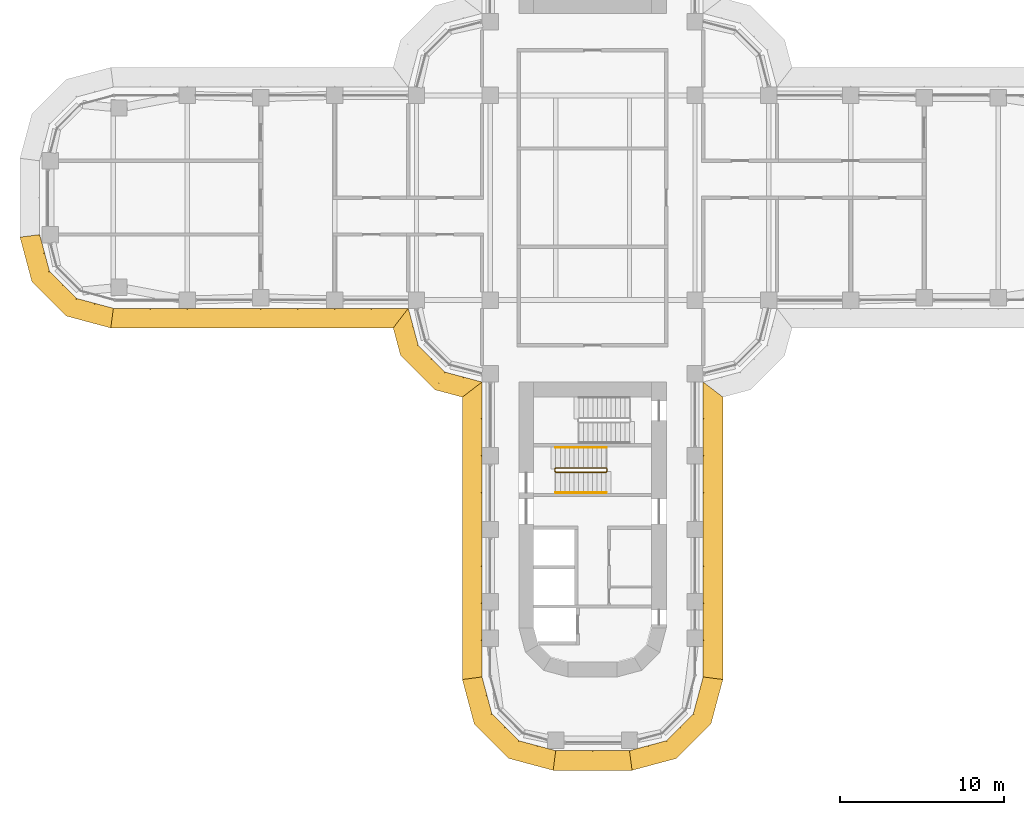
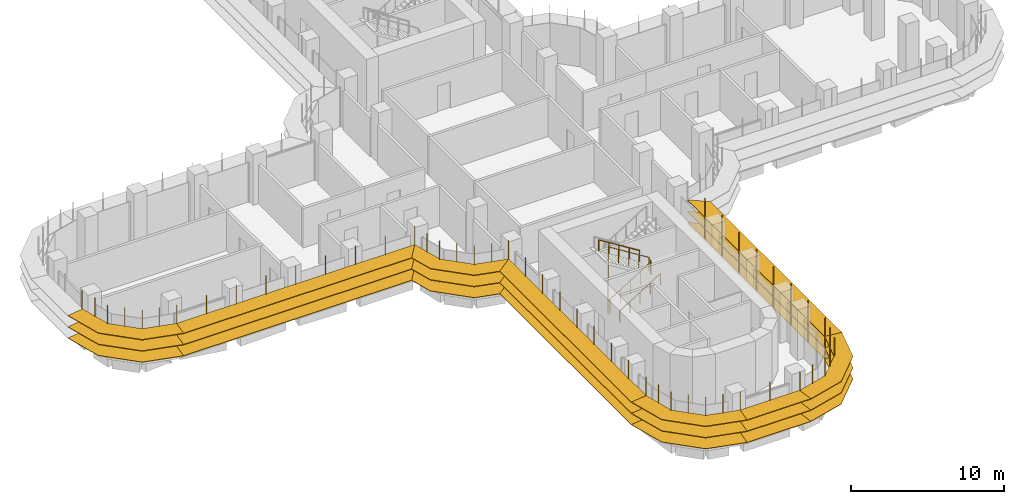
# One storey, part 20 of 23: 8 shading devices, 3 railings.
"""IFC4 building model written with IfcOpenShell, lengths in metres."""

from ifc_helpers import new_model, si_unit, direction, frame, origin, origin_2d, place, context, subcontext, project, spatial, polyline, circle, outline, extrude, faceted_brep, source, transform, mapped, material, type_object, element, save


model = new_model("IFC4")

# Units and contexts
model_context = context("Model", 3, precision=1e-05, world=origin(), true_north=direction((0.0, 1.0)))
body_context = subcontext(model_context, "Body", "Model", "MODEL_VIEW")
ifc_project = project(units=[si_unit("LENGTHUNIT", "METRE"), si_unit("AREAUNIT", "SQUARE_METRE"), si_unit("VOLUMEUNIT", "CUBIC_METRE"), si_unit("PLANEANGLEUNIT", "RADIAN"), si_unit("MASSUNIT", "GRAM", prefix="KILO")], contexts=[model_context])

# Site, building, storey
site_placement = place(None, origin())
site = spatial("IfcSite", under=ifc_project, at=site_placement, CompositionType="ELEMENT")
building_placement = place(site_placement, origin())
building = spatial("IfcBuilding", under=site, at=building_placement, Name="Zarbagh Exchange Tower", CompositionType="ELEMENT")
storey_placement = place(building_placement, frame((0.0, 0.0, 35.39990234375)))
storey = spatial("IfcBuildingStorey", under=building, at=storey_placement, Name="L07", CompositionType="ELEMENT", Elevation=35.39990234375)

# Railings
ifc_material_1 = material(Name="Stainless steel", Category="steel")
railing_type_1 = type_object("IfcRailingType", Name="Stair guard 1100 mm", PredefinedType="GUARDRAIL", material=ifc_material_1)
railing_1_placement = place(storey_placement, frame((0.830078125, -16.5, 2.275146484375)))
element("IfcRailing", 1, at=railing_1_placement, inside=storey, type_object=railing_type_1, Name="ST3 stair guard 1", PredefinedType="GUARDRAIL", context=body_context, shape_type="SweptSolid", body=[
    extrude(circle(Radius=0.02392578125, at=origin_2d()), frame((0.0, 0.0, 1.076171875), z_axis=(-0.847998304005, 0.0, 0.529998940003), x_axis=(0.0, -1.0, 0.0)), (0.0, 0.0, 1.0), 3.632080078125),
    extrude(circle(Radius=0.02392578125, at=origin_2d()), frame((-3.080078125, 0.0, 3.0009765625), z_axis=(-0.011914141993, -0.011914141993, -0.999858043145), x_axis=(0.707106781187, -0.707106781187, 0.0)), (0.0, 0.0, 1.0), 4.20068359375),
    extrude(circle(Radius=0.02392578125, at=origin_2d()), frame((-3.130126953125, -0.050048828125, -1.19921875), z_axis=(0.0, -1.0, 0.0), x_axis=(1.0, 0.0, 0.0)), (0.0, 0.0, 1.0), 0.14990234375),
    extrude(circle(Radius=0.02392578125, at=origin_2d()), frame((-3.130126953125, -0.199951171875, -1.19921875), z_axis=(0.265065253269, -0.265065253269, 0.927081885822), x_axis=(0.707106781187, 0.707106781187, 0.0)), (0.0, 0.0, 1.0), 0.188720703125),
    extrude(circle(Radius=0.02392578125, at=origin_2d()), frame((-3.080078125, -0.25, -1.02392578125), z_axis=(0.847998304005, 0.0, 0.529998940003), x_axis=(0.0, 1.0, 0.0)), (0.0, 0.0, 1.0), 3.632080078125),
    extrude(circle(Radius=0.02392578125, at=origin_2d()), frame((0.0, -0.25, 0.90087890625), z_axis=(0.705375805398, 0.708833529934, 0.0), x_axis=(-0.708833529934, 0.705375805398, 0.0)), (0.0, 0.0, 1.0), 0.070556640625),
    extrude(circle(Radius=0.02392578125, at=origin_2d()), frame((0.0498046875, -0.199951171875, 0.90087890625), z_axis=(0.0, 1.0, 0.0), x_axis=(-1.0, 0.0, 0.0)), (0.0, 0.0, 1.0), 0.14990234375),
    extrude(circle(Radius=0.02099609375, at=origin_2d()), origin(), (0.0, 0.0, 1.0), 1.052001953125),
    extrude(circle(Radius=0.02099609375, at=origin_2d()), frame((-0.77001953125, 0.0, 0.481201171875)), (0.0, 0.0, 1.0), 1.052001953125),
    extrude(circle(Radius=0.02099609375, at=origin_2d()), frame((-1.5400390625, 0.0, 0.96240234375)), (0.0, 0.0, 1.0), 1.052001953125),
    extrude(circle(Radius=0.02099609375, at=origin_2d()), frame((-2.31005859375, 0.0, 1.44384765625)), (0.0, 0.0, 1.0), 1.052001953125),
    extrude(circle(Radius=0.02099609375, at=origin_2d()), frame((-3.080078125, 0.0, 1.925048828125)), (0.0, 0.0, 1.0), 1.052001953125),
    extrude(circle(Radius=0.02099609375, at=origin_2d()), frame((-3.092529296875, -0.012451171875, 0.875)), (0.0, 0.0, 1.0), 1.052001953125),
    extrude(circle(Radius=0.02099609375, at=origin_2d()), frame((-3.10498046875, -0.02490234375, -0.175048828125)), (0.0, 0.0, 1.0), 1.052001953125),
    extrude(circle(Radius=0.02099609375, at=origin_2d()), frame((-3.11767578125, -0.03759765625, -1.22509765625)), (0.0, 0.0, 1.0), 1.052001953125),
    extrude(circle(Radius=0.02099609375, at=origin_2d()), frame((-3.130126953125, -0.050048828125, -2.275146484375)), (0.0, 0.0, 1.0), 1.052001953125),
    extrude(circle(Radius=0.02099609375, at=origin_2d()), frame((-3.130126953125, -0.199951171875, -2.275146484375)), (0.0, 0.0, 1.0), 1.052001953125),
    extrude(circle(Radius=0.02099609375, at=origin_2d()), frame((-3.080078125, -0.25, -2.10009765625)), (0.0, 0.0, 1.0), 1.052001953125),
    extrude(circle(Radius=0.02099609375, at=origin_2d()), frame((-2.31005859375, -0.25, -1.618896484375)), (0.0, 0.0, 1.0), 1.052001953125),
    extrude(circle(Radius=0.02099609375, at=origin_2d()), frame((-1.5400390625, -0.25, -1.1376953125)), (0.0, 0.0, 1.0), 1.052001953125),
    extrude(circle(Radius=0.02099609375, at=origin_2d()), frame((-0.77001953125, -0.25, -0.65625)), (0.0, 0.0, 1.0), 1.052001953125),
    extrude(circle(Radius=0.02099609375, at=origin_2d()), frame((0.0, -0.25, -0.175048828125)), (0.0, 0.0, 1.0), 1.052001953125),
    extrude(circle(Radius=0.02099609375, at=origin_2d()), frame((0.0498046875, -0.199951171875, -0.175048828125)), (0.0, 0.0, 1.0), 1.052001953125),
    extrude(circle(Radius=0.02099609375, at=origin_2d()), frame((0.0498046875, -0.050048828125, -0.175048828125)), (0.0, 0.0, 1.0), 1.052001953125),
])
railing_type_2 = type_object("IfcRailingType", Name="Stair handrail 900 mm", PredefinedType="HANDRAIL", material=ifc_material_1)
railing_2_placement = place(storey_placement, frame((-2.25, -18.0, 0.175048828125)))
element("IfcRailing", 2, at=railing_2_placement, inside=storey, type_object=railing_type_2, Name="ST3 stair handrail 1", PredefinedType="HANDRAIL", context=body_context, shape_type="SweptSolid", body=[
    extrude(circle(Radius=0.02392578125, at=origin_2d()), frame((0.0, 0.0, 0.8759765625), z_axis=(0.847998304005, 0.0, 0.529998940003), x_axis=(0.0, 1.0, 0.0)), (0.0, 0.0, 1.0), 3.632080078125),
    extrude(circle(Radius=0.02099609375, at=origin_2d()), origin(), (0.0, 0.0, 1.0), 0.851806640625),
    extrude(circle(Radius=0.02099609375, at=origin_2d()), frame((0.77001953125, 0.0, 0.481201171875)), (0.0, 0.0, 1.0), 0.851806640625),
    extrude(circle(Radius=0.02099609375, at=origin_2d()), frame((1.5400390625, 0.0, 0.96240234375)), (0.0, 0.0, 1.0), 0.851806640625),
    extrude(circle(Radius=0.02099609375, at=origin_2d()), frame((2.31005859375, 0.0, 1.44384765625)), (0.0, 0.0, 1.0), 0.851806640625),
    extrude(circle(Radius=0.02099609375, at=origin_2d()), frame((3.080078125, 0.0, 1.925048828125)), (0.0, 0.0, 1.0), 0.851806640625),
])
railing_3_placement = place(storey_placement, frame((0.830078125, -15.25, 2.275146484375)))
element("IfcRailing", 3, at=railing_3_placement, inside=storey, type_object=railing_type_2, Name="ST3 stair handrail 2", PredefinedType="HANDRAIL", context=body_context, shape_type="SweptSolid", body=[
    extrude(circle(Radius=0.02392578125, at=origin_2d()), frame((0.0, 0.0, 0.8759765625), z_axis=(-0.847998304005, 0.0, 0.529998940003), x_axis=(0.0, -1.0, 0.0)), (0.0, 0.0, 1.0), 3.632080078125),
    extrude(circle(Radius=0.02099609375, at=origin_2d()), origin(), (0.0, 0.0, 1.0), 0.851806640625),
    extrude(circle(Radius=0.02099609375, at=origin_2d()), frame((-0.77001953125, 0.0, 0.481201171875)), (0.0, 0.0, 1.0), 0.851806640625),
    extrude(circle(Radius=0.02099609375, at=origin_2d()), frame((-1.5400390625, 0.0, 0.96240234375)), (0.0, 0.0, 1.0), 0.851806640625),
    extrude(circle(Radius=0.02099609375, at=origin_2d()), frame((-2.31005859375, 0.0, 1.44384765625)), (0.0, 0.0, 1.0), 0.851806640625),
    extrude(circle(Radius=0.02099609375, at=origin_2d()), frame((-3.080078125, 0.0, 1.925048828125)), (0.0, 0.0, 1.0), 0.851806640625),
])

# Shading devices
ifc_material_2 = material(Name="Anodised aluminium blades and brackets", Category="aluminium")
shading_device_type = type_object("IfcShadingDeviceType", Name="SUNSHADE louvre band, 0 degree blades", PredefinedType="JALOUSIE", material=ifc_material_2)
shared_shape_1 = source(origin(), body_context, "Body", "Brep", [
    faceted_brep([(0.0, 0.0, 0.0), (0.0, 0.0, -0.0400390625), (-0.157958984375, -1.199951171875, -0.0400390625), (-0.157958984375, -1.199951171875, 0.0), (2.65087890625, -1.199951171875, 0.0), (2.65087890625, -1.199951171875, -0.0400390625), (2.329345703125, 0.0, -0.0400390625), (2.329345703125, 0.0, 0.0)], [[[0, 1, 2, 3]], [[4, 5, 6, 7]], [[0, 7, 6, 1]], [[1, 6, 5, 2]], [[2, 5, 4, 3]], [[3, 4, 7, 0]]]),
])
shared_shape_2 = source(origin(), body_context, "Body", "Brep", [
    faceted_brep([(0.0, 0.0, 0.0), (0.0, 0.0, -0.0400390625), (-0.321533203125, -1.199951171875, -0.0400390625), (-0.321533203125, -1.199951171875, 0.0), (2.65087890625, -1.199951171875, 0.0), (2.65087890625, -1.199951171875, -0.0400390625), (2.329345703125, 0.0, -0.0400390625), (2.329345703125, 0.0, 0.0)], [[[0, 1, 2, 3]], [[4, 5, 6, 7]], [[0, 7, 6, 1]], [[1, 6, 5, 2]], [[2, 5, 4, 3]], [[3, 4, 7, 0]]]),
])
shared_shape_3 = source(origin(), body_context, "Body", "Brep", [
    faceted_brep([(0.0, 0.0, 0.0), (0.0, 0.0, -0.0400390625), (-0.321533203125, -1.199951171875, -0.0400390625), (-0.321533203125, -1.199951171875, 0.0), (2.4873046875, -1.199951171875, 0.0), (2.4873046875, -1.199951171875, -0.0400390625), (2.329345703125, 0.0, -0.0400390625), (2.329345703125, 0.0, 0.0)], [[[0, 1, 2, 3]], [[4, 5, 6, 7]], [[0, 7, 6, 1]], [[1, 6, 5, 2]], [[2, 5, 4, 3]], [[3, 4, 7, 0]]]),
])
shared_shape_4 = source(origin(), body_context, "Body", "SweptSolid", [
    extrude(outline(polyline([(0.0, -0.012451171875), (0.06005859375, -0.012451171875), (0.06005859375, 0.012451171875), (0.0, 0.012451171875), (0.0, -0.012451171875)])), origin(), (0.0, 0.0, 1.0), 3.35009765625),
])
placement = place(storey_placement, origin())
element("IfcShadingDevice", 4, at=placement, inside=storey, type_object=shading_device_type, Name="SS01 sunshade band", PredefinedType="JALOUSIE", context=body_context, shape_type="MappedRepresentation", body=[
    mapped(shared_shape_1, transform((2.25, -33.75, 2.7001953125), x_axis=(0.965924289636, 0.258824779902, 0.0), y_axis=(-0.258824779902, 0.965924289636, 0.0), z_axis=(0.0, 0.0, 1.0))),
    mapped(shared_shape_1, transform((2.25, -33.75, 1.800048828125), x_axis=(0.965924289636, 0.258824779902, 0.0), y_axis=(-0.258824779902, 0.965924289636, 0.0), z_axis=(0.0, 0.0, 1.0))),
    mapped(shared_shape_1, transform((2.25, -33.75, 0.900146484375), x_axis=(0.965924289636, 0.258824779902, 0.0), y_axis=(-0.258824779902, 0.965924289636, 0.0), z_axis=(0.0, 0.0, 1.0))),
    mapped(shared_shape_2, transform((4.5, -33.147216796875, 2.7001953125), x_axis=(0.707106781187, 0.707106781187, 0.0), y_axis=(-0.707106781187, 0.707106781187, 0.0), z_axis=(0.0, 0.0, 1.0))),
    mapped(shared_shape_2, transform((4.5, -33.147216796875, 1.800048828125), x_axis=(0.707106781187, 0.707106781187, 0.0), y_axis=(-0.707106781187, 0.707106781187, 0.0), z_axis=(0.0, 0.0, 1.0))),
    mapped(shared_shape_2, transform((4.5, -33.147216796875, 0.900146484375), x_axis=(0.707106781187, 0.707106781187, 0.0), y_axis=(-0.707106781187, 0.707106781187, 0.0), z_axis=(0.0, 0.0, 1.0))),
    mapped(shared_shape_3, transform((6.147216796875, -31.5, 2.7001953125), x_axis=(0.258824779902, 0.965924289636, 0.0), y_axis=(-0.965924289636, 0.258824779902, 0.0), z_axis=(0.0, 0.0, 1.0))),
    mapped(shared_shape_3, transform((6.147216796875, -31.5, 1.800048828125), x_axis=(0.258824779902, 0.965924289636, 0.0), y_axis=(-0.965924289636, 0.258824779902, 0.0), z_axis=(0.0, 0.0, 1.0))),
    mapped(shared_shape_3, transform((6.147216796875, -31.5, 0.900146484375), x_axis=(0.258824779902, 0.965924289636, 0.0), y_axis=(-0.965924289636, 0.258824779902, 0.0), z_axis=(0.0, 0.0, 1.0))),
    mapped(shared_shape_4, transform((2.25, -33.75, 0.830078125), x_axis=(0.130529263012, -0.991444457092, 0.0), y_axis=(0.991444457092, 0.130529263012, 0.0), z_axis=(0.0, 0.0, 1.0))),
    mapped(shared_shape_4, transform((3.375, -33.448486328125, 0.830078125), x_axis=(0.258825058029, -0.96592421511, 0.0), y_axis=(0.96592421511, 0.258825058029, 0.0), z_axis=(0.0, 0.0, 1.0))),
    mapped(shared_shape_4, transform((4.5, -33.147216796875, 0.830078125), x_axis=(0.50000275701, -0.866023812018, 0.0), y_axis=(0.866023812018, 0.50000275701, 0.0), z_axis=(0.0, 0.0, 1.0))),
    mapped(shared_shape_4, transform((5.323486328125, -32.323486328125, 0.830078125), x_axis=(0.707106781187, -0.707106781187, 0.0), y_axis=(0.707106781187, 0.707106781187, 0.0), z_axis=(0.0, 0.0, 1.0))),
    mapped(shared_shape_4, transform((6.147216796875, -31.5, 0.830078125), x_axis=(0.866023812018, -0.50000275701, 0.0), y_axis=(0.50000275701, 0.866023812018, 0.0), z_axis=(0.0, 0.0, 1.0))),
    mapped(shared_shape_4, transform((6.448486328125, -30.375, 0.830078125), x_axis=(0.96592421511, -0.258825058029, 0.0), y_axis=(0.258825058029, 0.96592421511, 0.0), z_axis=(0.0, 0.0, 1.0))),
])
element("IfcShadingDevice", 5, at=placement, inside=storey, type_object=shading_device_type, Name="SS19 sunshade band", PredefinedType="JALOUSIE", context=body_context, shape_type="MappedRepresentation", body=[
    mapped(shared_shape_1, transform((-33.75, -2.25, 2.7001953125), x_axis=(0.258824779902, -0.965924289636, 0.0), y_axis=(0.965924289636, 0.258824779902, 0.0), z_axis=(0.0, 0.0, 1.0))),
    mapped(shared_shape_1, transform((-33.75, -2.25, 1.800048828125), x_axis=(0.258824779902, -0.965924289636, 0.0), y_axis=(0.965924289636, 0.258824779902, 0.0), z_axis=(0.0, 0.0, 1.0))),
    mapped(shared_shape_1, transform((-33.75, -2.25, 0.900146484375), x_axis=(0.258824779902, -0.965924289636, 0.0), y_axis=(0.965924289636, 0.258824779902, 0.0), z_axis=(0.0, 0.0, 1.0))),
    mapped(shared_shape_2, transform((-33.147216796875, -4.5, 2.7001953125), x_axis=(0.707106781187, -0.707106781187, 0.0), y_axis=(0.707106781187, 0.707106781187, 0.0), z_axis=(0.0, 0.0, 1.0))),
    mapped(shared_shape_2, transform((-33.147216796875, -4.5, 1.800048828125), x_axis=(0.707106781187, -0.707106781187, 0.0), y_axis=(0.707106781187, 0.707106781187, 0.0), z_axis=(0.0, 0.0, 1.0))),
    mapped(shared_shape_2, transform((-33.147216796875, -4.5, 0.900146484375), x_axis=(0.707106781187, -0.707106781187, 0.0), y_axis=(0.707106781187, 0.707106781187, 0.0), z_axis=(0.0, 0.0, 1.0))),
    mapped(shared_shape_3, transform((-31.5, -6.147216796875, 2.7001953125), x_axis=(0.965924289636, -0.258824779902, 0.0), y_axis=(0.258824779902, 0.965924289636, 0.0), z_axis=(0.0, 0.0, 1.0))),
    mapped(shared_shape_3, transform((-31.5, -6.147216796875, 1.800048828125), x_axis=(0.965924289636, -0.258824779902, 0.0), y_axis=(0.258824779902, 0.965924289636, 0.0), z_axis=(0.0, 0.0, 1.0))),
    mapped(shared_shape_3, transform((-31.5, -6.147216796875, 0.900146484375), x_axis=(0.965924289636, -0.258824779902, 0.0), y_axis=(0.258824779902, 0.965924289636, 0.0), z_axis=(0.0, 0.0, 1.0))),
    mapped(shared_shape_4, transform((-33.75, -2.25, 0.830078125), x_axis=(-0.991444457092, -0.130529263012, 0.0), y_axis=(0.130529263012, -0.991444457092, 0.0), z_axis=(0.0, 0.0, 1.0))),
    mapped(shared_shape_4, transform((-33.448486328125, -3.375, 0.830078125), x_axis=(-0.96592421511, -0.258825058029, 0.0), y_axis=(0.258825058029, -0.96592421511, 0.0), z_axis=(0.0, 0.0, 1.0))),
    mapped(shared_shape_4, transform((-33.147216796875, -4.5, 0.830078125), x_axis=(-0.866023812018, -0.50000275701, 0.0), y_axis=(0.50000275701, -0.866023812018, 0.0), z_axis=(0.0, 0.0, 1.0))),
    mapped(shared_shape_4, transform((-32.323486328125, -5.323486328125, 0.830078125), x_axis=(-0.707106781187, -0.707106781187, 0.0), y_axis=(0.707106781187, -0.707106781187, 0.0), z_axis=(0.0, 0.0, 1.0))),
    mapped(shared_shape_4, transform((-31.5, -6.147216796875, 0.830078125), x_axis=(-0.50000275701, -0.866023812018, 0.0), y_axis=(0.866023812018, -0.50000275701, 0.0), z_axis=(0.0, 0.0, 1.0))),
    mapped(shared_shape_4, transform((-30.375, -6.448486328125, 0.830078125), x_axis=(-0.258825058029, -0.96592421511, 0.0), y_axis=(0.96592421511, -0.258825058029, 0.0), z_axis=(0.0, 0.0, 1.0))),
])
element("IfcShadingDevice", 6, at=placement, inside=storey, type_object=shading_device_type, Name="SS23 sunshade band", PredefinedType="JALOUSIE", context=body_context, shape_type="MappedRepresentation", body=[
    mapped(shared_shape_1, transform((-6.75, -29.25, 2.7001953125), x_axis=(0.258824779902, -0.965924289636, 0.0), y_axis=(0.965924289636, 0.258824779902, 0.0), z_axis=(0.0, 0.0, 1.0))),
    mapped(shared_shape_1, transform((-6.75, -29.25, 1.800048828125), x_axis=(0.258824779902, -0.965924289636, 0.0), y_axis=(0.965924289636, 0.258824779902, 0.0), z_axis=(0.0, 0.0, 1.0))),
    mapped(shared_shape_1, transform((-6.75, -29.25, 0.900146484375), x_axis=(0.258824779902, -0.965924289636, 0.0), y_axis=(0.965924289636, 0.258824779902, 0.0), z_axis=(0.0, 0.0, 1.0))),
    mapped(shared_shape_2, transform((-6.147216796875, -31.5, 2.7001953125), x_axis=(0.707106781187, -0.707106781187, 0.0), y_axis=(0.707106781187, 0.707106781187, 0.0), z_axis=(0.0, 0.0, 1.0))),
    mapped(shared_shape_2, transform((-6.147216796875, -31.5, 1.800048828125), x_axis=(0.707106781187, -0.707106781187, 0.0), y_axis=(0.707106781187, 0.707106781187, 0.0), z_axis=(0.0, 0.0, 1.0))),
    mapped(shared_shape_2, transform((-6.147216796875, -31.5, 0.900146484375), x_axis=(0.707106781187, -0.707106781187, 0.0), y_axis=(0.707106781187, 0.707106781187, 0.0), z_axis=(0.0, 0.0, 1.0))),
    mapped(shared_shape_3, transform((-4.5, -33.147216796875, 2.7001953125), x_axis=(0.965924289636, -0.258824779902, 0.0), y_axis=(0.258824779902, 0.965924289636, 0.0), z_axis=(0.0, 0.0, 1.0))),
    mapped(shared_shape_3, transform((-4.5, -33.147216796875, 1.800048828125), x_axis=(0.965924289636, -0.258824779902, 0.0), y_axis=(0.258824779902, 0.965924289636, 0.0), z_axis=(0.0, 0.0, 1.0))),
    mapped(shared_shape_3, transform((-4.5, -33.147216796875, 0.900146484375), x_axis=(0.965924289636, -0.258824779902, 0.0), y_axis=(0.258824779902, 0.965924289636, 0.0), z_axis=(0.0, 0.0, 1.0))),
    mapped(shared_shape_4, transform((-6.75, -29.25, 0.830078125), x_axis=(-0.991444457092, -0.130529263012, 0.0), y_axis=(0.130529263012, -0.991444457092, 0.0), z_axis=(0.0, 0.0, 1.0))),
    mapped(shared_shape_4, transform((-6.448486328125, -30.375, 0.830078125), x_axis=(-0.96592421511, -0.258825058029, 0.0), y_axis=(0.258825058029, -0.96592421511, 0.0), z_axis=(0.0, 0.0, 1.0))),
    mapped(shared_shape_4, transform((-6.147216796875, -31.5, 0.830078125), x_axis=(-0.866023812018, -0.50000275701, 0.0), y_axis=(0.50000275701, -0.866023812018, 0.0), z_axis=(0.0, 0.0, 1.0))),
    mapped(shared_shape_4, transform((-5.323486328125, -32.323486328125, 0.830078125), x_axis=(-0.707106781187, -0.707106781187, 0.0), y_axis=(0.707106781187, -0.707106781187, 0.0), z_axis=(0.0, 0.0, 1.0))),
    mapped(shared_shape_4, transform((-4.5, -33.147216796875, 0.830078125), x_axis=(-0.50000275701, -0.866023812018, 0.0), y_axis=(0.866023812018, -0.50000275701, 0.0), z_axis=(0.0, 0.0, 1.0))),
    mapped(shared_shape_4, transform((-3.375, -33.448486328125, 0.830078125), x_axis=(-0.258825058029, -0.96592421511, 0.0), y_axis=(0.96592421511, -0.258825058029, 0.0), z_axis=(0.0, 0.0, 1.0))),
])
shared_shape_5 = source(origin(), body_context, "Body", "Brep", [
    faceted_brep([(0.0, 0.0, 0.0), (0.0, 0.0, -0.0400390625), (0.9208984375, -1.199951171875, -0.0400390625), (0.9208984375, -1.199951171875, 0.0), (2.65087890625, -1.199951171875, 0.0), (2.65087890625, -1.199951171875, -0.0400390625), (2.329345703125, 0.0, -0.0400390625), (2.329345703125, 0.0, 0.0)], [[[0, 1, 2, 3]], [[4, 5, 6, 7]], [[0, 7, 6, 1]], [[1, 6, 5, 2]], [[2, 5, 4, 3]], [[3, 4, 7, 0]]]),
])
shared_shape_6 = source(origin(), body_context, "Body", "Brep", [
    faceted_brep([(0.0, 0.0, 0.0), (0.0, 0.0, -0.0400390625), (-0.321533203125, -1.199951171875, -0.0400390625), (-0.321533203125, -1.199951171875, 0.0), (1.40869140625, -1.199951171875, 0.0), (1.40869140625, -1.199951171875, -0.0400390625), (2.329345703125, 0.0, -0.0400390625), (2.329345703125, 0.0, 0.0)], [[[0, 1, 2, 3]], [[4, 5, 6, 7]], [[0, 7, 6, 1]], [[1, 6, 5, 2]], [[2, 5, 4, 3]], [[3, 4, 7, 0]]]),
])
element("IfcShadingDevice", 7, at=placement, inside=storey, type_object=shading_device_type, Name="SS21 sunshade band", PredefinedType="JALOUSIE", context=body_context, shape_type="MappedRepresentation", body=[
    mapped(shared_shape_5, transform((-11.25, -6.75, 2.7001953125), x_axis=(0.258824779902, -0.965924289636, 0.0), y_axis=(0.965924289636, 0.258824779902, 0.0), z_axis=(0.0, 0.0, 1.0))),
    mapped(shared_shape_5, transform((-11.25, -6.75, 1.800048828125), x_axis=(0.258824779902, -0.965924289636, 0.0), y_axis=(0.965924289636, 0.258824779902, 0.0), z_axis=(0.0, 0.0, 1.0))),
    mapped(shared_shape_5, transform((-11.25, -6.75, 0.900146484375), x_axis=(0.258824779902, -0.965924289636, 0.0), y_axis=(0.965924289636, 0.258824779902, 0.0), z_axis=(0.0, 0.0, 1.0))),
    mapped(shared_shape_2, transform((-10.647216796875, -9.0, 2.7001953125), x_axis=(0.707106781187, -0.707106781187, 0.0), y_axis=(0.707106781187, 0.707106781187, 0.0), z_axis=(0.0, 0.0, 1.0))),
    mapped(shared_shape_2, transform((-10.647216796875, -9.0, 1.800048828125), x_axis=(0.707106781187, -0.707106781187, 0.0), y_axis=(0.707106781187, 0.707106781187, 0.0), z_axis=(0.0, 0.0, 1.0))),
    mapped(shared_shape_2, transform((-10.647216796875, -9.0, 0.900146484375), x_axis=(0.707106781187, -0.707106781187, 0.0), y_axis=(0.707106781187, 0.707106781187, 0.0), z_axis=(0.0, 0.0, 1.0))),
    mapped(shared_shape_6, transform((-9.0, -10.647216796875, 2.7001953125), x_axis=(0.965924289636, -0.258824779902, 0.0), y_axis=(0.258824779902, 0.965924289636, 0.0), z_axis=(0.0, 0.0, 1.0))),
    mapped(shared_shape_6, transform((-9.0, -10.647216796875, 1.800048828125), x_axis=(0.965924289636, -0.258824779902, 0.0), y_axis=(0.258824779902, 0.965924289636, 0.0), z_axis=(0.0, 0.0, 1.0))),
    mapped(shared_shape_6, transform((-9.0, -10.647216796875, 0.900146484375), x_axis=(0.965924289636, -0.258824779902, 0.0), y_axis=(0.258824779902, 0.965924289636, 0.0), z_axis=(0.0, 0.0, 1.0))),
    mapped(shared_shape_4, transform((-11.25, -6.75, 0.830078125), x_axis=(-0.608758892, -0.793355287, 0.0), y_axis=(0.793355287, -0.608758892, 0.0), z_axis=(0.0, 0.0, 1.0))),
    mapped(shared_shape_4, transform((-10.948486328125, -7.875, 0.830078125), x_axis=(-0.96592421511, -0.258825058029, 0.0), y_axis=(0.258825058029, -0.96592421511, 0.0), z_axis=(0.0, 0.0, 1.0))),
    mapped(shared_shape_4, transform((-10.647216796875, -9.0, 0.830078125), x_axis=(-0.866023812018, -0.50000275701, 0.0), y_axis=(0.50000275701, -0.866023812018, 0.0), z_axis=(0.0, 0.0, 1.0))),
    mapped(shared_shape_4, transform((-9.823486328125, -9.823486328125, 0.830078125), x_axis=(-0.707106781187, -0.707106781187, 0.0), y_axis=(0.707106781187, -0.707106781187, 0.0), z_axis=(0.0, 0.0, 1.0))),
    mapped(shared_shape_4, transform((-9.0, -10.647216796875, 0.830078125), x_axis=(-0.50000275701, -0.866023812018, 0.0), y_axis=(0.866023812018, -0.50000275701, 0.0), z_axis=(0.0, 0.0, 1.0))),
    mapped(shared_shape_4, transform((-7.875, -10.948486328125, 0.830078125), x_axis=(-0.258825058029, -0.96592421511, 0.0), y_axis=(0.96592421511, -0.258825058029, 0.0), z_axis=(0.0, 0.0, 1.0))),
])
shared_shape_7 = source(origin(), body_context, "Body", "Brep", [
    faceted_brep([(0.0, 0.0, 0.0), (0.0, 0.0, -0.0400390625), (-0.157958984375, -1.199951171875, -0.0400390625), (-0.157958984375, -1.199951171875, 0.0), (17.0791015625, -1.199951171875, 0.0), (17.0791015625, -1.199951171875, -0.0400390625), (18.0, 0.0, -0.0400390625), (18.0, 0.0, 0.0)], [[[0, 1, 2, 3]], [[4, 5, 6, 7]], [[0, 7, 6, 1]], [[1, 6, 5, 2]], [[2, 5, 4, 3]], [[3, 4, 7, 0]]]),
])
element("IfcShadingDevice", 8, at=placement, inside=storey, type_object=shading_device_type, Name="SS02 sunshade band", PredefinedType="JALOUSIE", context=body_context, shape_type="MappedRepresentation", body=[
    mapped(shared_shape_7, transform((6.75, -29.25, 2.7001953125), x_axis=(0.0, 1.0, 0.0), y_axis=(-1.0, 0.0, 0.0), z_axis=(0.0, 0.0, 1.0))),
    mapped(shared_shape_7, transform((6.75, -29.25, 1.800048828125), x_axis=(0.0, 1.0, 0.0), y_axis=(-1.0, 0.0, 0.0), z_axis=(0.0, 0.0, 1.0))),
    mapped(shared_shape_7, transform((6.75, -29.25, 0.900146484375), x_axis=(0.0, 1.0, 0.0), y_axis=(-1.0, 0.0, 0.0), z_axis=(0.0, 0.0, 1.0))),
    mapped(shared_shape_4, transform((6.75, -29.25, 0.830078125), x_axis=(0.991444457092, -0.130529263012, 0.0), y_axis=(0.130529263012, 0.991444457092, 0.0), z_axis=(0.0, 0.0, 1.0))),
    mapped(shared_shape_4, transform((6.75, -27.0, 0.830078125), x_axis=(1.0, 0.0, 0.0), y_axis=(0.0, 1.0, 0.0), z_axis=(0.0, 0.0, 1.0))),
    mapped(shared_shape_4, transform((6.75, -24.75, 0.830078125), x_axis=(1.0, 0.0, 0.0), y_axis=(0.0, 1.0, 0.0), z_axis=(0.0, 0.0, 1.0))),
    mapped(shared_shape_4, transform((6.75, -22.5, 0.830078125), x_axis=(1.0, 0.0, 0.0), y_axis=(0.0, 1.0, 0.0), z_axis=(0.0, 0.0, 1.0))),
    mapped(shared_shape_4, transform((6.75, -20.25, 0.830078125), x_axis=(1.0, 0.0, 0.0), y_axis=(0.0, 1.0, 0.0), z_axis=(0.0, 0.0, 1.0))),
    mapped(shared_shape_4, transform((6.75, -18.0, 0.830078125), x_axis=(1.0, 0.0, 0.0), y_axis=(0.0, 1.0, 0.0), z_axis=(0.0, 0.0, 1.0))),
    mapped(shared_shape_4, transform((6.75, -15.75, 0.830078125), x_axis=(1.0, 0.0, 0.0), y_axis=(0.0, 1.0, 0.0), z_axis=(0.0, 0.0, 1.0))),
    mapped(shared_shape_4, transform((6.75, -13.5, 0.830078125), x_axis=(1.0, 0.0, 0.0), y_axis=(0.0, 1.0, 0.0), z_axis=(0.0, 0.0, 1.0))),
])
element("IfcShadingDevice", 9, at=placement, inside=storey, type_object=shading_device_type, Name="SS20 sunshade band", PredefinedType="JALOUSIE", context=body_context, shape_type="MappedRepresentation", body=[
    mapped(shared_shape_7, transform((-29.25, -6.75, 2.7001953125), x_axis=(1.0, 0.0, 0.0), y_axis=(0.0, 1.0, 0.0), z_axis=(0.0, 0.0, 1.0))),
    mapped(shared_shape_7, transform((-29.25, -6.75, 1.800048828125), x_axis=(1.0, 0.0, 0.0), y_axis=(0.0, 1.0, 0.0), z_axis=(0.0, 0.0, 1.0))),
    mapped(shared_shape_7, transform((-29.25, -6.75, 0.900146484375), x_axis=(1.0, 0.0, 0.0), y_axis=(0.0, 1.0, 0.0), z_axis=(0.0, 0.0, 1.0))),
    mapped(shared_shape_4, transform((-29.25, -6.75, 0.830078125), x_axis=(-0.130529263012, -0.991444457092, 0.0), y_axis=(0.991444457092, -0.130529263012, 0.0), z_axis=(0.0, 0.0, 1.0))),
    mapped(shared_shape_4, transform((-27.0, -6.75, 0.830078125), x_axis=(0.0, -1.0, 0.0), y_axis=(1.0, 0.0, 0.0), z_axis=(0.0, 0.0, 1.0))),
    mapped(shared_shape_4, transform((-24.75, -6.75, 0.830078125), x_axis=(0.0, -1.0, 0.0), y_axis=(1.0, 0.0, 0.0), z_axis=(0.0, 0.0, 1.0))),
    mapped(shared_shape_4, transform((-22.5, -6.75, 0.830078125), x_axis=(0.0, -1.0, 0.0), y_axis=(1.0, 0.0, 0.0), z_axis=(0.0, 0.0, 1.0))),
    mapped(shared_shape_4, transform((-20.25, -6.75, 0.830078125), x_axis=(0.0, -1.0, 0.0), y_axis=(1.0, 0.0, 0.0), z_axis=(0.0, 0.0, 1.0))),
    mapped(shared_shape_4, transform((-18.0, -6.75, 0.830078125), x_axis=(0.0, -1.0, 0.0), y_axis=(1.0, 0.0, 0.0), z_axis=(0.0, 0.0, 1.0))),
    mapped(shared_shape_4, transform((-15.75, -6.75, 0.830078125), x_axis=(0.0, -1.0, 0.0), y_axis=(1.0, 0.0, 0.0), z_axis=(0.0, 0.0, 1.0))),
    mapped(shared_shape_4, transform((-13.5, -6.75, 0.830078125), x_axis=(0.0, -1.0, 0.0), y_axis=(1.0, 0.0, 0.0), z_axis=(0.0, 0.0, 1.0))),
])
shared_shape_8 = source(origin(), body_context, "Body", "Brep", [
    faceted_brep([(0.0, 0.0, 0.0), (0.0, 0.0, -0.0400390625), (0.9208984375, -1.199951171875, -0.0400390625), (0.9208984375, -1.199951171875, 0.0), (18.157958984375, -1.199951171875, 0.0), (18.157958984375, -1.199951171875, -0.0400390625), (18.0, 0.0, -0.0400390625), (18.0, 0.0, 0.0)], [[[0, 1, 2, 3]], [[4, 5, 6, 7]], [[0, 7, 6, 1]], [[1, 6, 5, 2]], [[2, 5, 4, 3]], [[3, 4, 7, 0]]]),
])
element("IfcShadingDevice", 10, at=placement, inside=storey, type_object=shading_device_type, Name="SS22 sunshade band", PredefinedType="JALOUSIE", context=body_context, shape_type="MappedRepresentation", body=[
    mapped(shared_shape_8, transform((-6.75, -11.25, 2.7001953125), x_axis=(0.0, -1.0, 0.0), y_axis=(1.0, 0.0, 0.0), z_axis=(0.0, 0.0, 1.0))),
    mapped(shared_shape_8, transform((-6.75, -11.25, 1.800048828125), x_axis=(0.0, -1.0, 0.0), y_axis=(1.0, 0.0, 0.0), z_axis=(0.0, 0.0, 1.0))),
    mapped(shared_shape_8, transform((-6.75, -11.25, 0.900146484375), x_axis=(0.0, -1.0, 0.0), y_axis=(1.0, 0.0, 0.0), z_axis=(0.0, 0.0, 1.0))),
    mapped(shared_shape_4, transform((-6.75, -11.25, 0.830078125), x_axis=(-0.793355287, -0.608758892, 0.0), y_axis=(0.608758892, -0.793355287, 0.0), z_axis=(0.0, 0.0, 1.0))),
    mapped(shared_shape_4, transform((-6.75, -13.5, 0.830078125), x_axis=(-1.0, 0.0, 0.0), y_axis=(0.0, -1.0, 0.0), z_axis=(0.0, 0.0, 1.0))),
    mapped(shared_shape_4, transform((-6.75, -15.75, 0.830078125), x_axis=(-1.0, 0.0, 0.0), y_axis=(0.0, -1.0, 0.0), z_axis=(0.0, 0.0, 1.0))),
    mapped(shared_shape_4, transform((-6.75, -18.0, 0.830078125), x_axis=(-1.0, 0.0, 0.0), y_axis=(0.0, -1.0, 0.0), z_axis=(0.0, 0.0, 1.0))),
    mapped(shared_shape_4, transform((-6.75, -20.25, 0.830078125), x_axis=(-1.0, 0.0, 0.0), y_axis=(0.0, -1.0, 0.0), z_axis=(0.0, 0.0, 1.0))),
    mapped(shared_shape_4, transform((-6.75, -22.5, 0.830078125), x_axis=(-1.0, 0.0, 0.0), y_axis=(0.0, -1.0, 0.0), z_axis=(0.0, 0.0, 1.0))),
    mapped(shared_shape_4, transform((-6.75, -24.75, 0.830078125), x_axis=(-1.0, 0.0, 0.0), y_axis=(0.0, -1.0, 0.0), z_axis=(0.0, 0.0, 1.0))),
    mapped(shared_shape_4, transform((-6.75, -27.0, 0.830078125), x_axis=(-1.0, 0.0, 0.0), y_axis=(0.0, -1.0, 0.0), z_axis=(0.0, 0.0, 1.0))),
])
shared_shape_9 = source(origin(), body_context, "Body", "Brep", [
    faceted_brep([(0.0, 0.0, 0.0), (0.0, 0.0, -0.0400390625), (-0.157958984375, -1.199951171875, -0.0400390625), (-0.157958984375, -1.199951171875, 0.0), (4.657958984375, -1.199951171875, 0.0), (4.657958984375, -1.199951171875, -0.0400390625), (4.5, 0.0, -0.0400390625), (4.5, 0.0, 0.0)], [[[0, 1, 2, 3]], [[4, 5, 6, 7]], [[0, 7, 6, 1]], [[1, 6, 5, 2]], [[2, 5, 4, 3]], [[3, 4, 7, 0]]]),
])
element("IfcShadingDevice", 11, at=placement, inside=storey, type_object=shading_device_type, Name="SS24 sunshade band", PredefinedType="JALOUSIE", context=body_context, shape_type="MappedRepresentation", body=[
    mapped(shared_shape_9, transform((-2.25, -33.75, 2.7001953125), x_axis=(1.0, 0.0, 0.0), y_axis=(0.0, 1.0, 0.0), z_axis=(0.0, 0.0, 1.0))),
    mapped(shared_shape_9, transform((-2.25, -33.75, 1.800048828125), x_axis=(1.0, 0.0, 0.0), y_axis=(0.0, 1.0, 0.0), z_axis=(0.0, 0.0, 1.0))),
    mapped(shared_shape_9, transform((-2.25, -33.75, 0.900146484375), x_axis=(1.0, 0.0, 0.0), y_axis=(0.0, 1.0, 0.0), z_axis=(0.0, 0.0, 1.0))),
    mapped(shared_shape_4, transform((-2.25, -33.75, 0.830078125), x_axis=(-0.130529263012, -0.991444457092, 0.0), y_axis=(0.991444457092, -0.130529263012, 0.0), z_axis=(0.0, 0.0, 1.0))),
    mapped(shared_shape_4, transform((0.0, -33.75, 0.830078125), x_axis=(0.0, -1.0, 0.0), y_axis=(1.0, 0.0, 0.0), z_axis=(0.0, 0.0, 1.0))),
])

save(model, "model.ifc")
